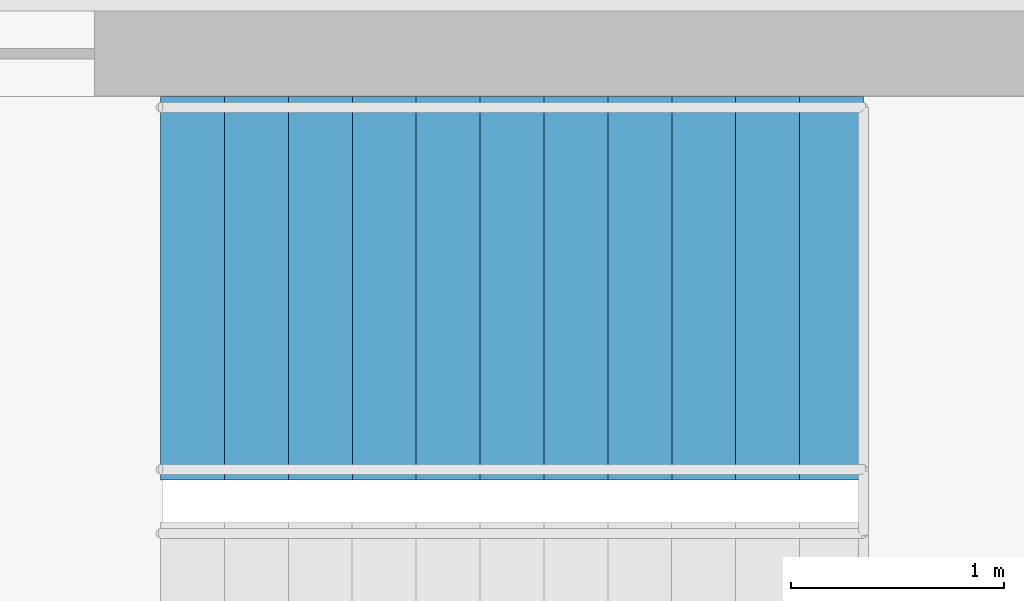
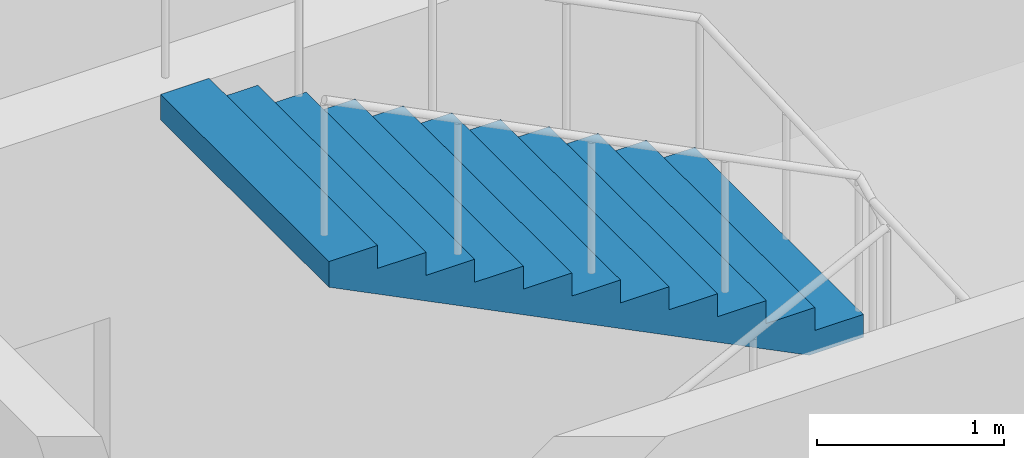
# One storey, part 16 of 23: 1 stair flight, 1 element without a shape of its own.
"""IFC4 building model written with IfcOpenShell, lengths in metres."""

from ifc_helpers import new_model, si_unit, direction, frame, origin, place, context, subcontext, project, spatial, polyline, outline, extrude, source, transform, mapped, material, type_object, element, aggregate, save


model = new_model("IFC4")

# Units and contexts
model_context = context("Model", 3, precision=1e-05, world=origin(), true_north=direction((0.0, 1.0)))
body_context = subcontext(model_context, "Body", "Model", "MODEL_VIEW")
ifc_project = project(units=[si_unit("LENGTHUNIT", "METRE"), si_unit("AREAUNIT", "SQUARE_METRE"), si_unit("VOLUMEUNIT", "CUBIC_METRE"), si_unit("PLANEANGLEUNIT", "RADIAN"), si_unit("MASSUNIT", "GRAM", prefix="KILO")], contexts=[model_context])

# Site, building, storey
site_placement = place(None, origin())
site = spatial("IfcSite", under=ifc_project, at=site_placement, CompositionType="ELEMENT")
building_placement = place(site_placement, origin())
building = spatial("IfcBuilding", under=site, at=building_placement, Name="Triune Harvest Tower", CompositionType="ELEMENT")
storey_placement = place(building_placement, frame((0.0, 0.0, 105.5)))
storey = spatial("IfcBuildingStorey", under=building, at=storey_placement, Name="L26", CompositionType="ELEMENT", Elevation=105.5)

# Stair, stair flight
ifc_material_1 = material(Name="Concrete 40 MPa", Category="concrete")
stair_type = type_object("IfcStairType", Name="Exit stair 1800 half turn", PredefinedType="HALF_TURN_STAIR", material=ifc_material_1)
stair_placement = place(storey_placement, origin())
stair = element("IfcStair", 1, at=stair_placement, inside=storey, type_object=stair_type, Name="Exit stair north", PredefinedType="HALF_TURN_STAIR")
ifc_material_2 = material(Name="Concrete 40 MPa", Category="concrete")
stair_flight_type = type_object("IfcStairFlightType", Name="Stair flight 1800", PredefinedType="STRAIGHT", material=ifc_material_2)
shared_shape = source(origin(), body_context, "Body", "SweptSolid", [
    extrude(outline(polyline([(0.0, 0.0), (0.0, 0.14990234375), (0.300048828125, 0.14990234375), (0.300048828125, 0.300048828125), (0.60009765625, 0.300048828125), (0.60009765625, 0.449951171875), (0.89990234375, 0.449951171875), (0.89990234375, 0.60009765625), (1.199951171875, 0.60009765625), (1.199951171875, 0.75), (1.5, 0.75), (1.5, 0.89990234375), (1.800048828125, 0.89990234375), (1.800048828125, 1.050048828125), (2.10009765625, 1.050048828125), (2.10009765625, 1.199951171875), (2.39990234375, 1.199951171875), (2.39990234375, 1.35009765625), (2.699951171875, 1.35009765625), (2.699951171875, 1.5), (3.0, 1.5), (3.0, 1.64990234375), (3.300048828125, 1.64990234375), (3.300048828125, 1.800048828125), (3.300048828125, 1.482421875), (0.335205078125, 0.0), (0.0, 0.0)])), frame((0.0, 0.89990234375, 0.0), z_axis=(0.0, -1.0, 0.0), x_axis=(1.0, 0.0, 0.0)), (0.0, 0.0, 1.0), 1.800048828125),
])
stair_flight_placement = place(storey_placement, frame((1.510009765625, 9.090087890625, 1.800048828125), z_axis=(0.0, 0.0, 1.0), x_axis=(-1.0, 0.0, 0.0)))
stair_flight = element("IfcStairFlight", 2, at=stair_flight_placement, type_object=stair_flight_type, Name="ST-1 flight 2", NumberOfRisers=12, NumberOfTreads=11, PredefinedType="STRAIGHT", RiserHeight=0.15, TreadLength=0.3, context=body_context, shape_type="MappedRepresentation", body=[
    mapped(shared_shape, transform((0.0, 0.0, 0.0), scale=1.0)),
])
aggregate(stair, [stair_flight])

save(model, "model.ifc")
